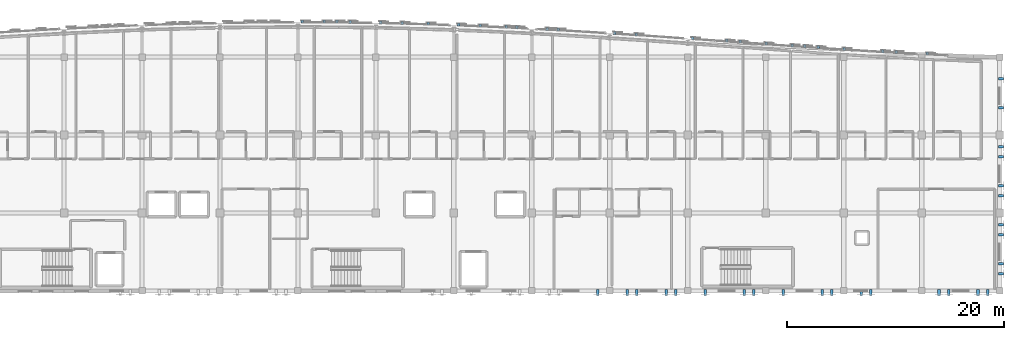
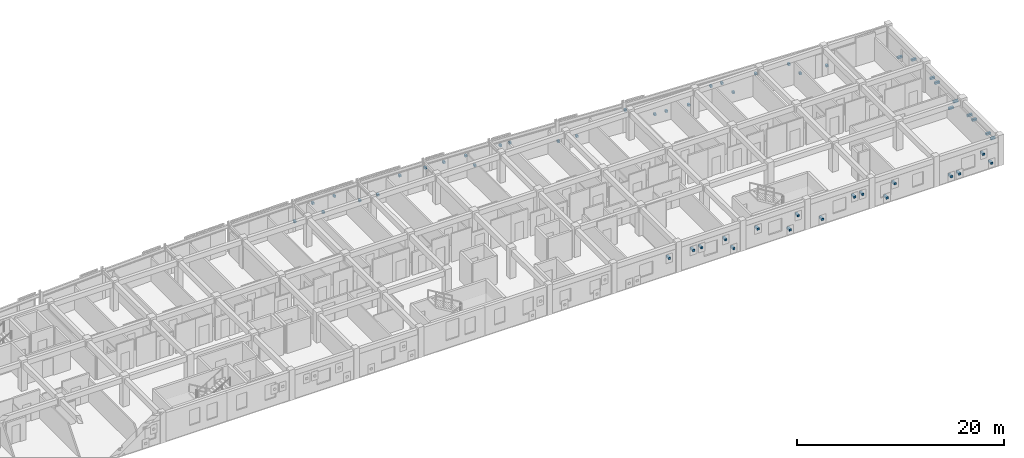
# One storey, part 46 of 48: 53 discrete accessories.
"""IFC4 building model written with IfcOpenShell, lengths in metres."""

from ifc_helpers import new_model, si_unit, direction, frame, origin, origin_2d, place, context, subcontext, project, spatial, rectangle, extrude, material, type_object, element, save


model = new_model("IFC4")

# Units and contexts
model_context = context("Model", 3, precision=1e-05, world=origin(), true_north=direction((0.0, 1.0)))
body_context = subcontext(model_context, "Body", "Model", "MODEL_VIEW")
ifc_project = project(units=[si_unit("LENGTHUNIT", "METRE"), si_unit("AREAUNIT", "SQUARE_METRE"), si_unit("VOLUMEUNIT", "CUBIC_METRE"), si_unit("PLANEANGLEUNIT", "RADIAN"), si_unit("MASSUNIT", "GRAM", prefix="KILO")], contexts=[model_context])

# Site, building, storey
site_placement = place(None, origin())
site = spatial("IfcSite", under=ifc_project, at=site_placement, CompositionType="ELEMENT")
building_placement = place(site_placement, origin())
building = spatial("IfcBuilding", under=site, at=building_placement, Name="Carrowvane Square Congress Hotel", CompositionType="ELEMENT")
storey_placement = place(building_placement, frame((0.0, 0.0, 26.39990234375)))
storey = spatial("IfcBuildingStorey", under=building, at=storey_placement, Name="L06", CompositionType="ELEMENT", Elevation=26.39990234375)

# Discrete accessories
ifc_material = material(Name="Stainless steel 316", Category="steel")
discrete_accessory_type = type_object("IfcDiscreteAccessoryType", Name="ACC-BRK-SS", PredefinedType="BRACKET", material=ifc_material)
for number, where, z_axis, x_axis, name in (
    (1, (98.4150390625, 116.6787109375, 0.56005859375), (0.0, 0.0, 1.0), (0.999994654955, -0.003269565853, 0.0), "Pixel screen mullion bracket 543"),
    (2, (100.435791015625, 116.671875, 2.0302734375), (0.0, 0.0, 1.0), (0.999952150705, -0.009782448565, 0.0), "Pixel screen mullion bracket 544"),
    (3, (101.600830078125, 116.660400390625, 0.56005859375), (0.0, 0.0, 1.0), (0.999952150705, -0.009782448565, 0.0), "Pixel screen mullion bracket 545"),
    (4, (102.831298828125, 116.648193359375, 2.0302734375), (0.0, 0.0, 1.0), (0.999868508772, -0.016216200758, 0.0), "Pixel screen mullion bracket 546"),
    (5, (105.629150390625, 116.60009765625, 0.56005859375), (0.0, 0.0, 1.0), (0.999746418061, -0.022518871507, 0.0), "Pixel screen mullion bracket 547"),
    (6, (107.63232421875, 116.5546875, 0.56005859375), (0.0, 0.0, 1.0), (0.999589805464, -0.028639497417, 0.0), "Pixel screen mullion bracket 548"),
    (7, (110.037841796875, 116.485595703125, 2.0302734375), (0.0, 0.0, 1.0), (0.999403768784, -0.034526901703, 0.0), "Pixel screen mullion bracket 549"),
    (8, (112.83203125, 116.38671875, 2.0302734375), (0.0, 0.0, 1.0), (0.999194294234, -0.040134304148, 0.0), "Pixel screen mullion bracket 550"),
    (9, (114.838623046875, 116.305908203125, 2.0302734375), (0.0, 0.0, 1.0), (0.998968255262, -0.045413929349, 0.0), "Pixel screen mullion bracket 551"),
    (10, (117.23388671875, 116.197021484375, 2.0302734375), (0.0, 0.0, 1.0), (0.998733066647, -0.050321581706, 0.0), "Pixel screen mullion bracket 552"),
    (11, (118.2216796875, 116.147216796875, 0.56005859375), (0.0, 0.0, 1.0), (0.998733066647, -0.050321581706, 0.0), "Pixel screen mullion bracket 553"),
    (12, (121.006591796875, 116.00048828125, 2.0302734375), (0.0, 0.0, 1.0), (0.998496552462, -0.054814548441, 0.0), "Pixel screen mullion bracket 554"),
    (13, (122.03466796875, 115.94384765625, 2.0302734375), (0.0, 0.0, 1.0), (0.998266695506, -0.05885239709, 0.0), "Pixel screen mullion bracket 555"),
    (14, (127.24365234375, 115.62548828125, 0.56005859375), (0.0, 0.0, 1.0), (0.99785825325, -0.065413350476, 0.0), "Pixel screen mullion bracket 556"),
    (15, (129.240234375, 115.494384765625, 0.56005859375), (0.0, 0.0, 1.0), (0.9976944394, -0.067866085713, 0.0), "Pixel screen mullion bracket 557"),
    (16, (134.451171875, 115.134033203125, 2.0302734375), (0.0, 0.0, 1.0), (0.997479379392, -0.070956942496, 0.0), "Pixel screen mullion bracket 558"),
    (17, (137.605712890625, 114.908935546875, 0.56005859375), (0.0, 0.0, 1.0), (0.997438267187, -0.071532532122, 0.0), "Pixel screen mullion bracket 559"),
    (18, (138.840576171875, 114.8203125, 0.56005859375), (0.0, 0.0, 1.0), (0.997446326449, -0.071420066188, 0.0), "Pixel screen mullion bracket 560"),
    (19, (141.235595703125, 114.64892578125, 0.56005859375), (0.0, 0.0, 1.0), (0.997505756275, -0.070585169822, 0.0), "Pixel screen mullion bracket 561"),
    (20, (143.640380859375, 114.478759765625, 2.0302734375), (0.0, 0.0, 1.0), (0.99761759323, -0.068986503591, 0.0), "Pixel screen mullion bracket 562"),
    (21, (144.805419921875, 114.398193359375, 2.0302734375), (0.0, 0.0, 1.0), (0.99761759323, -0.068986503591, 0.0), "Pixel screen mullion bracket 563"),
    (22, (146.03515625, 114.313232421875, 0.56005859375), (0.0, 0.0, 1.0), (0.997781458784, -0.066574473385, 0.0), "Pixel screen mullion bracket 564"),
    (23, (148.43994140625, 114.153076171875, 2.0302734375), (0.0, 0.0, 1.0), (0.997996022269, -0.063276690295, 0.0), "Pixel screen mullion bracket 565"),
    (24, (152.004638671875, 113.93212890625, 2.0302734375), (0.0, 0.0, 1.0), (0.998258866948, -0.05898503675, 0.0), "Pixel screen mullion bracket 566"),
    (25, (153.2392578125, 113.859375, 0.56005859375), (0.0, 0.0, 1.0), (0.998566941363, -0.053516947007, 0.0), "Pixel screen mullion bracket 567"),
    (26, (156.122314453125, 113.70849609375, 0.56005859375), (0.0, 0.0, 1.0), (0.99891730083, -0.046521243556, 0.0), "Pixel screen mullion bracket 568"),
):
    element("IfcDiscreteAccessory", number, at=place(storey_placement, frame(where, z_axis=z_axis, x_axis=x_axis)), inside=storey, type_object=discrete_accessory_type, Name=name, PredefinedType="BRACKET", context=body_context, shape_type="SweptSolid", body=[
        extrude(rectangle(XDim=0.239990234375, YDim=0.280029296875, at=origin_2d()), origin(), (0.0, 0.0, 1.0), 0.239990234375),
    ])
for number, where, z_axis, x_axis, name in (
    (27, (162.93994140625, 111.39990234375, 0.56005859375), (0.0, 0.0, 1.0), (0.0, -1.0, 0.0), "V5 pixel screen bracket 569"),
    (28, (162.93994140625, 108.699951171875, 1.9150390625), (0.0, 0.0, 1.0), (0.0, -1.0, 0.0), "V5 pixel screen bracket 570"),
    (29, (162.93994140625, 105.10009765625, 1.9150390625), (0.0, 0.0, 1.0), (0.0, -1.0, 0.0), "V5 pixel screen bracket 571"),
    (30, (162.93994140625, 104.199951171875, 1.9150390625), (0.0, 0.0, 1.0), (0.0, -1.0, 0.0), "V5 pixel screen bracket 572"),
    (31, (162.93994140625, 101.5, 0.56005859375), (0.0, 0.0, 1.0), (0.0, -1.0, 0.0), "V5 pixel screen bracket 573"),
    (32, (162.93994140625, 100.60009765625, 1.9150390625), (0.0, 0.0, 1.0), (0.0, -1.0, 0.0), "V5 pixel screen bracket 574"),
    (33, (162.93994140625, 97.89990234375, 1.9150390625), (0.0, 0.0, 1.0), (0.0, -1.0, 0.0), "V5 pixel screen bracket 575"),
    (34, (162.93994140625, 97.0, 1.9150390625), (0.0, 0.0, 1.0), (0.0, -1.0, 0.0), "V5 pixel screen bracket 576"),
    (35, (162.93994140625, 94.300048828125, 1.9150390625), (0.0, 0.0, 1.0), (0.0, -1.0, 0.0), "V5 pixel screen bracket 577"),
    (36, (162.93994140625, 93.39990234375, 1.9150390625), (0.0, 0.0, 1.0), (0.0, -1.0, 0.0), "V5 pixel screen bracket 578"),
    (37, (161.699951171875, 91.659912109375, 0.56005859375), (0.0, 0.0, 1.0), (-1.0, 0.0, 0.0), "V5 pixel screen bracket 579"),
    (38, (160.800048828125, 91.659912109375, 1.93017578125), (0.0, 0.0, 1.0), (-1.0, 0.0, 0.0), "V5 pixel screen bracket 580"),
    (39, (158.10009765625, 91.659912109375, 0.56005859375), (0.0, 0.0, 1.0), (-1.0, 0.0, 0.0), "V5 pixel screen bracket 581"),
    (40, (157.199951171875, 91.659912109375, 0.56005859375), (0.0, 0.0, 1.0), (-1.0, 0.0, 0.0), "V5 pixel screen bracket 582"),
    (41, (150.89990234375, 91.659912109375, 1.93017578125), (0.0, 0.0, 1.0), (-1.0, 0.0, 0.0), "V5 pixel screen bracket 583"),
    (42, (150.0, 91.659912109375, 0.56005859375), (0.0, 0.0, 1.0), (-1.0, 0.0, 0.0), "V5 pixel screen bracket 584"),
    (43, (147.300048828125, 91.659912109375, 1.93017578125), (0.0, 0.0, 1.0), (-1.0, 0.0, 0.0), "V5 pixel screen bracket 585"),
    (44, (146.39990234375, 91.659912109375, 1.93017578125), (0.0, 0.0, 1.0), (-1.0, 0.0, 0.0), "V5 pixel screen bracket 586"),
    (45, (142.800048828125, 91.659912109375, 0.56005859375), (0.0, 0.0, 1.0), (-1.0, 0.0, 0.0), "V5 pixel screen bracket 587"),
    (46, (140.10009765625, 91.659912109375, 1.93017578125), (0.0, 0.0, 1.0), (-1.0, 0.0, 0.0), "V5 pixel screen bracket 588"),
    (47, (139.199951171875, 91.659912109375, 0.56005859375), (0.0, 0.0, 1.0), (-1.0, 0.0, 0.0), "V5 pixel screen bracket 589"),
    (48, (135.60009765625, 91.659912109375, 1.93017578125), (0.0, 0.0, 1.0), (-1.0, 0.0, 0.0), "V5 pixel screen bracket 590"),
    (49, (132.89990234375, 91.659912109375, 0.56005859375), (0.0, 0.0, 1.0), (-1.0, 0.0, 0.0), "V5 pixel screen bracket 591"),
    (50, (132.0, 91.659912109375, 1.93017578125), (0.0, 0.0, 1.0), (-1.0, 0.0, 0.0), "V5 pixel screen bracket 592"),
    (51, (129.300048828125, 91.659912109375, 1.93017578125), (0.0, 0.0, 1.0), (-1.0, 0.0, 0.0), "V5 pixel screen bracket 593"),
    (52, (128.39990234375, 91.659912109375, 1.93017578125), (0.0, 0.0, 1.0), (-1.0, 0.0, 0.0), "V5 pixel screen bracket 594"),
    (53, (125.699951171875, 91.659912109375, 1.93017578125), (0.0, 0.0, 1.0), (-1.0, 0.0, 0.0), "V5 pixel screen bracket 595"),
):
    element("IfcDiscreteAccessory", number, at=place(storey_placement, frame(where, z_axis=z_axis, x_axis=x_axis)), inside=storey, type_object=discrete_accessory_type, Name=name, PredefinedType="BRACKET", context=body_context, shape_type="SweptSolid", body=[
        extrude(rectangle(XDim=0.239990234375, YDim=0.52001953125, at=origin_2d()), origin(), (0.0, 0.0, 1.0), 0.239990234375),
    ])

save(model, "model.ifc")
